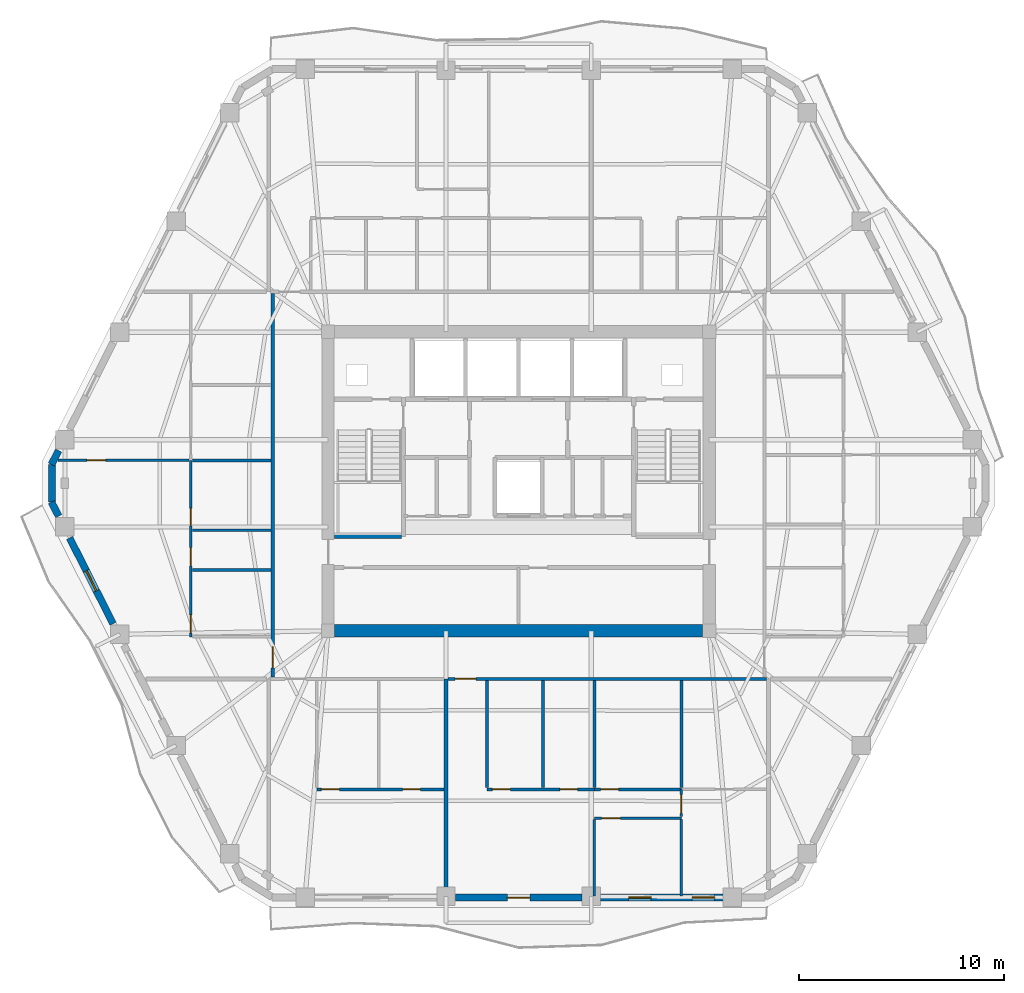
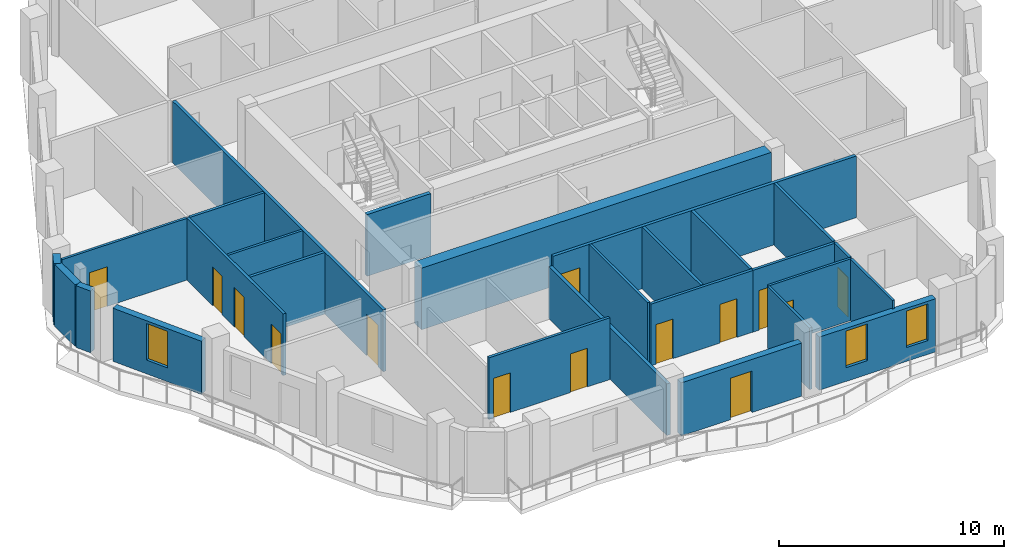
# One storey, part 4 of 11: 27 walls, 14 doors, 3 windows, 17 openings.
"""IFC4 building model written with IfcOpenShell, lengths in metres."""

import ifcopenshell
import ifcopenshell.guid

model = None  # the IFC model being written
_history = None  # IfcOwnerHistory: only IFC2X3 demands one
_inside = {}  # id of a spatial element -> (the spatial element, [elements in it])
_under = {}  # id of a project, library or spatial element -> (it, [spatial elements below it])
_declared = {}  # id of a project -> (the project, [libraries it declares])
_typed = {}  # id of a type object -> (the type object, [elements of that type])
_made_of = {}  # id of a material, layer set ... -> (it, [elements and type objects made of it])


def new_model(schema):
    """Start an empty IFC model of exactly this schema.

    Asked for "IFC4X3", IfcOpenShell would pick the latest addendum, in which some entities
    have other attributes; the version numbers below select the first issue.
    IFC2X3 requires an IfcOwnerHistory on every rooted entity: one is made here for all.
    """
    global model, _history
    if schema == "IFC4X3":
        model = ifcopenshell.file(schema_version=(4, 3, 0, 0))
    else:
        model = ifcopenshell.file(schema=schema)
    _inside.clear()
    _under.clear()
    _declared.clear()
    _typed.clear()
    _made_of.clear()
    _history = None
    if model.schema == "IFC2X3":
        org = make("IfcOrganization", Name="unknown")
        user = make(
            "IfcPersonAndOrganization",
            ThePerson=make("IfcPerson", FamilyName="unknown"),
            TheOrganization=org,
        )
        app = make(
            "IfcApplication",
            ApplicationDeveloper=org,
            Version="unknown",
            ApplicationFullName="unknown",
            ApplicationIdentifier="unknown",
        )
        _history = make(
            "IfcOwnerHistory",
            OwningUser=user,
            OwningApplication=app,
            ChangeAction="ADDED",
            CreationDate=0,
        )
    return model


def make(cls, **values):
    """One entity of the class cls with the attributes given. An attribute that is None is left unset."""
    return model.create_entity(
        cls, **{name: value for name, value in values.items() if value is not None}
    )


def rooted(cls, **values):
    """An entity with a GlobalId (a new one), such as an element, a storey or a relation."""
    return make(cls, GlobalId=ifcopenshell.guid.new(), OwnerHistory=_history, **values)


def si_unit(unit_type, name, prefix=None):
    """IfcSIUnit, for example si_unit("LENGTHUNIT", "METRE", prefix="MILLI")."""
    return make("IfcSIUnit", UnitType=unit_type, Prefix=prefix, Name=name)


def assignment(units):
    """IfcUnitAssignment: the units of a project."""
    return None if units is None else make("IfcUnitAssignment", Units=units)


def point(xyz):
    """IfcCartesianPoint."""
    return None if xyz is None else make("IfcCartesianPoint", Coordinates=xyz)


def direction(xyz):
    """IfcDirection."""
    return None if xyz is None else make("IfcDirection", DirectionRatios=xyz)


def frame(location, z_axis=None, x_axis=None):
    """IfcAxis2Placement3D, a coordinate frame: its origin and axes. An axis left out is left unset."""
    return make(
        "IfcAxis2Placement3D",
        Location=point(location),
        Axis=direction(z_axis),
        RefDirection=direction(x_axis),
    )


def frame_2d(location, x_axis=None):
    """IfcAxis2Placement2D, a coordinate frame in the plane: its origin and x axis."""
    return make(
        "IfcAxis2Placement2D", Location=point(location), RefDirection=direction(x_axis)
    )


def origin():
    """The frame at (0, 0, 0) with its axes left unset."""
    return frame((0.0, 0.0, 0.0))


def place(relative_to, where):
    """IfcLocalPlacement: puts the frame where relative to a parent placement (None: the world)."""
    return make(
        "IfcLocalPlacement", PlacementRelTo=relative_to, RelativePlacement=where
    )


def context(
    kind, dimensions, precision=None, world=None, true_north=None, identifier=None
):
    """IfcGeometricRepresentationContext, for example the 3D "Model" context."""
    return make(
        "IfcGeometricRepresentationContext",
        ContextIdentifier=identifier,
        ContextType=kind,
        CoordinateSpaceDimension=dimensions,
        Precision=precision,
        WorldCoordinateSystem=world,
        TrueNorth=true_north,
    )


def subcontext(parent, identifier, kind, view, scale=None):
    """IfcGeometricRepresentationSubContext, for example "Body" below "Model"."""
    return make(
        "IfcGeometricRepresentationSubContext",
        ContextIdentifier=identifier,
        ContextType=kind,
        ParentContext=parent,
        TargetScale=scale,
        TargetView=view,
    )


def project(units=None, contexts=None):
    """IfcProject with its units and contexts."""
    return rooted(
        "IfcProject",
        Name="project",
        RepresentationContexts=contexts,
        UnitsInContext=assignment(units),
    )


def spatial(cls, under=None, at=None, **own):
    """A site, building, storey or space (cls), placed at a placement, below another one or the project."""
    s = rooted(cls, ObjectPlacement=at, **own)
    if under is not None:
        _under.setdefault(under.id(), (under, []))[1].append(s)
    return s


def profile(cls, at=None, kind="AREA", **sizes):
    """A parametric profile (cls). Its sizes go by their IFC names, for example OverallWidth=200.0."""
    return make(cls, ProfileType=kind, Position=at, **sizes)


def rectangle(**sizes):
    """IfcRectangleProfileDef."""
    return profile("IfcRectangleProfileDef", **sizes)


def extrude(swept, where, along, depth):
    """IfcExtrudedAreaSolid: the profile swept, set in the frame where, extruded along a direction by depth."""
    return make(
        "IfcExtrudedAreaSolid",
        SweptArea=swept,
        Position=where,
        ExtrudedDirection=direction(along),
        Depth=depth,
    )


def shape(context_of_items, identifier, shape_type, items):
    """IfcShapeRepresentation: the items that make up one representation, for example the "Body"."""
    return make(
        "IfcShapeRepresentation",
        ContextOfItems=context_of_items,
        RepresentationIdentifier=identifier,
        RepresentationType=shape_type,
        Items=items,
    )


def material(Name=None, Category=None):
    """IfcMaterial."""
    return make("IfcMaterial", Name=Name, Category=Category)


def layer(
    of_material, thickness, ventilated=None, Name=None, Category=None, Priority=None
):
    """IfcMaterialLayer: one layer of a wall or slab, of a material (None: an air gap)."""
    return make(
        "IfcMaterialLayer",
        Material=of_material,
        LayerThickness=thickness,
        IsVentilated=ventilated,
        Name=Name,
        Category=Category,
        Priority=Priority,
    )


def layer_set(layers, Name=None):
    """IfcMaterialLayerSet."""
    return make("IfcMaterialLayerSet", MaterialLayers=layers, LayerSetName=Name)


def made_of(thing, what):
    """Note that an element or type object is made of a material, layer set ...; save() writes the relation."""
    if what is not None:
        _made_of.setdefault(what.id(), (what, []))[1].append(thing)
    return thing


def type_object(cls, material=None, **own):
    """A type object (cls), such as IfcWallType, which elements share."""
    return made_of(rooted(cls, **own), material)


def element(
    cls,
    number,
    at=None,
    inside=None,
    cuts=None,
    type_object=None,
    material=None,
    context=None,
    identifier="Body",
    shape_type=None,
    held_by="IfcProductDefinitionShape",
    body=None,
    shapes=None,
    **own,
):
    """One element of the class cls, such as IfcWall. Its Tag is "e" and its number.

    at: its placement. inside: the storey or other place that contains it. cuts: it is an
    opening in that element (IfcRelVoidsElement). A single representation is given by context,
    identifier, shape_type and body (its items); several are given by shapes. held_by: the class
    of the entity that holds the representations. save() writes the other relations.
    """
    e = rooted(cls, Tag="e%d" % number, ObjectPlacement=at, **own)
    if body is not None:
        shapes = [shape(context, identifier, shape_type, body)]
    if shapes is not None:
        e.Representation = make(held_by, Representations=shapes)
    if inside is not None:
        _inside.setdefault(inside.id(), (inside, []))[1].append(e)
    if cuts is not None:
        rooted(
            "IfcRelVoidsElement", RelatingBuildingElement=cuts, RelatedOpeningElement=e
        )
    if type_object is not None:
        _typed.setdefault(type_object.id(), (type_object, []))[1].append(e)
    return made_of(e, material)


def fill(opening, filler):
    """IfcRelFillsElement: the door or window that sits in an opening."""
    return rooted(
        "IfcRelFillsElement",
        RelatingOpeningElement=opening,
        RelatedBuildingElement=filler,
    )


def aggregate(whole, parts):
    """IfcRelAggregates: a whole, such as a stair, and the parts it consists of."""
    return rooted("IfcRelAggregates", RelatingObject=whole, RelatedObjects=parts)


def save(model, path):
    """Write the relations noted so far, then the file.

    IfcRelAggregates (storeys below a building ...), IfcRelContainedInSpatialStructure (elements
    in a storey), IfcRelDefinesByType, IfcRelAssociatesMaterial and IfcRelDeclares: one each for
    every whole, place, type object, material and project.
    """
    for whole, parts in _under.values():
        aggregate(whole, parts)
    for where, things in _inside.values():
        rooted(
            "IfcRelContainedInSpatialStructure",
            RelatedElements=things,
            RelatingStructure=where,
        )
    for kind, things in _typed.values():
        rooted("IfcRelDefinesByType", RelatedObjects=things, RelatingType=kind)
    for what, things in _made_of.values():
        rooted("IfcRelAssociatesMaterial", RelatedObjects=things, RelatingMaterial=what)
    for by, libraries in _declared.values():
        rooted("IfcRelDeclares", RelatingContext=by, RelatedDefinitions=libraries)
    model.write(path)


model = new_model("IFC4")

# Units and contexts
model_context = context("Model", 3, precision=1e-05, world=origin(), true_north=direction((0.0, 1.0)))
body_context = subcontext(model_context, "Body", "Model", "MODEL_VIEW")
ifc_project = project(units=[si_unit("LENGTHUNIT", "METRE"), si_unit("AREAUNIT", "SQUARE_METRE"), si_unit("VOLUMEUNIT", "CUBIC_METRE"), si_unit("PLANEANGLEUNIT", "RADIAN"), si_unit("MASSUNIT", "GRAM", prefix="KILO")], contexts=[model_context])

# Site, building, storey
site_placement = place(None, origin())
site = spatial("IfcSite", under=ifc_project, at=site_placement, CompositionType="ELEMENT")
building_placement = place(site_placement, origin())
building = spatial("IfcBuilding", under=site, at=building_placement, Name="Cinnabar Lancet Tower", CompositionType="ELEMENT")
storey_placement = place(building_placement, frame((0.0, 0.0, 175.449951171875)))
storey = spatial("IfcBuildingStorey", under=building, at=storey_placement, Name="L46", CompositionType="ELEMENT", Elevation=175.449951171875)

# Wall, opening, door
ifc_material_1 = material(Name="Acoustic twin-stud gypsum partition", Category="gypsum")
ifc_layer_1 = layer(ifc_material_1, 0.159912109375)
ifc_layer_set_1 = layer_set([ifc_layer_1], Name="Acoustic twin-stud gypsum partition")
wall_type_1 = type_object("IfcWallType", Name="ARC-WL-CORR-160", PredefinedType="PARTITIONING", material=ifc_layer_set_1)
wall_1_placement = place(storey_placement, frame((28.951904296875, 16.25, 0.0), z_axis=(0.0, 0.0, 1.0), x_axis=(1.0, 0.0, 0.0)))
wall_1 = element("IfcWall", 1, at=wall_1_placement, inside=storey, type_object=wall_type_1, Name="L46 Unit S02 Corridor Wall", PredefinedType="PARTITIONING", context=body_context, shape_type="SweptSolid", body=[
    extrude(rectangle(XDim=15.552978515625, YDim=0.159912109375, at=frame_2d((7.7763671875, 0.0))), origin(), (0.0, 0.0, 1.0), 3.35009765625),
])
opening_1_placement = place(wall_1_placement, frame((0.35498046875, 0.0, 0.0)))
opening_1 = element("IfcOpeningElement", 2, at=opening_1_placement, cuts=wall_1, Name="Opening UD-01", PredefinedType="OPENING", context=body_context, shape_type="SweptSolid", body=[
    extrude(rectangle(XDim=1.02001953125, YDim=2.25, at=frame_2d((0.510009765625, 1.125))), frame((0.0, 0.08984375, 0.0), z_axis=(0.0, -1.0, 0.0), x_axis=(1.0, 0.0, 0.0)), (0.0, 0.0, 1.0), 0.179931640625),
])
ifc_material_2 = material(Name="Solid timber fire-rated apartment entrance door", Category="wood")
door_type_1 = type_object("IfcDoorType", Name="ARC-DR-UNIT", OperationType="NOTDEFINED", PredefinedType="DOOR", material=ifc_material_2)
door_1_placement = place(opening_1_placement, origin())
door_1 = element("IfcDoor", 3, at=door_1_placement, inside=storey, type_object=door_type_1, Name="DR-L46-S02-ENT", OperationType="SINGLE_SWING_LEFT", OverallHeight=2.25, OverallWidth=1.02001953125, PredefinedType="DOOR", context=body_context, shape_type="SweptSolid", body=[
    extrude(rectangle(XDim=1.02001953125, YDim=2.25, at=frame_2d((0.510009765625, 1.125))), frame((0.0, 0.02490234375, 0.0), z_axis=(0.0, -1.0, 0.0), x_axis=(1.0, 0.0, 0.0)), (0.0, 0.0, 1.0), 0.050048828125),
])
fill(opening_1, door_1)

wall_2_placement = place(storey_placement, frame((20.39990234375, 16.344970703125, 0.0), z_axis=(0.0, 0.0, 1.0), x_axis=(0.0, 1.0, 0.0)))
wall_2 = element("IfcWall", 4, at=wall_2_placement, inside=storey, type_object=wall_type_1, Name="UW-L46-W01-COR", PredefinedType="PARTITIONING", context=body_context, shape_type="SweptSolid", body=[
    extrude(rectangle(XDim=18.7099609375, YDim=0.159912109375, at=frame_2d((9.35498046875, 0.0))), origin(), (0.0, 0.0, 1.0), 3.35009765625),
])
opening_2_placement = place(wall_2_placement, frame((0.449951171875, 0.0, 0.0)))
opening_2 = element("IfcOpeningElement", 5, at=opening_2_placement, cuts=wall_2, Name="Opening UD-01", PredefinedType="OPENING", context=body_context, shape_type="SweptSolid", body=[
    extrude(rectangle(XDim=1.02001953125, YDim=2.25, at=frame_2d((0.510009765625, 1.125))), frame((0.0, 0.08984375, 0.0), z_axis=(0.0, -1.0, 0.0), x_axis=(1.0, 0.0, 0.0)), (0.0, 0.0, 1.0), 0.179931640625),
])
door_2_placement = place(opening_2_placement, origin())
door_2 = element("IfcDoor", 6, at=door_2_placement, inside=storey, type_object=door_type_1, Name="DR-L46-W01-ENT", OperationType="SINGLE_SWING_RIGHT", OverallHeight=2.25, OverallWidth=1.02001953125, PredefinedType="DOOR", context=body_context, shape_type="SweptSolid", body=[
    extrude(rectangle(XDim=1.02001953125, YDim=2.25, at=frame_2d((0.510009765625, 1.125))), frame((0.0, 0.02490234375, 0.0), z_axis=(0.0, -1.0, 0.0), x_axis=(1.0, 0.0, 0.0)), (0.0, 0.0, 1.0), 0.050048828125),
])
fill(opening_2, door_2)

# Walls
ifc_material_3 = material(Name="Fire-rated twin-frame acoustic drywall", Category="gypsum")
ifc_layer_2 = layer(ifc_material_3, 0.179931640625)
ifc_layer_set_2 = layer_set([ifc_layer_2], Name="Fire-rated twin-frame acoustic drywall")
wall_type_2 = type_object("IfcWallType", Name="ARC-WL-PARTY-180", PredefinedType="PARTITIONING", material=ifc_layer_set_2)
wall_3_placement = place(storey_placement, frame((28.85693359375, 5.7548828125, 0.0), z_axis=(0.0, 0.0, 1.0), x_axis=(0.0, 1.0, 0.0)))
element("IfcWall", 7, at=wall_3_placement, inside=storey, type_object=wall_type_2, Name="PW-L46-SPTY-289", PredefinedType="PARTITIONING", context=body_context, shape_type="SweptSolid", body=[
    extrude(rectangle(XDim=10.4951171875, YDim=0.179931640625, at=frame_2d((5.24755859375, 0.0))), origin(), (0.0, 0.0, 1.0), 2.80712890625),
])
ifc_material_4 = material(Name="Autoclaved aerated concrete blockwork", Category="masonry")
ifc_layer_3 = layer(ifc_material_4, 0.199951171875)
ifc_layer_set_3 = layer_set([ifc_layer_3], Name="Autoclaved aerated concrete blockwork")
wall_type_3 = type_object("IfcWallType", Name="ARC-WL-SHAFT-200", PredefinedType="PLUMBINGWALL", material=ifc_layer_set_3)
wall_4_placement = place(storey_placement, frame((23.405029296875, 23.199951171875, 0.0), z_axis=(0.0, 0.0, 1.0), x_axis=(1.0, 0.0, 0.0)))
element("IfcWall", 8, at=wall_4_placement, inside=storey, type_object=wall_type_3, Name="CW-ST1S-L46", PredefinedType="PLUMBINGWALL", context=body_context, shape_type="SweptSolid", body=[
    extrude(rectangle(XDim=3.27001953125, YDim=0.199951171875, at=frame_2d((1.635009765625, 0.0))), origin(), (0.0, 0.0, 1.0), 3.35009765625),
])
ifc_material_5 = material(Name="Gypsum plasterboard stud partition", Category="gypsum")
ifc_layer_4 = layer(ifc_material_5, 0.125)
ifc_layer_set_4 = layer_set([ifc_layer_4], Name="Gypsum plasterboard stud partition")
wall_type_4 = type_object("IfcWallType", Name="ARC-WL-UNIT-125", PredefinedType="PARTITIONING", material=ifc_layer_set_4)
wall_5_placement = place(storey_placement, frame((30.85693359375, 10.9609375, 0.0), z_axis=(0.0, 0.0, 1.0), x_axis=(0.0, 1.0, 0.0)))
element("IfcWall", 9, at=wall_5_placement, inside=storey, type_object=wall_type_4, Name="UW-L46-S02-FOYE", PredefinedType="PARTITIONING", context=body_context, shape_type="SweptSolid", body=[
    extrude(rectangle(XDim=5.2041015625, YDim=0.125, at=frame_2d((2.60205078125, 0.0))), origin(), (0.0, 0.0, 1.0), 3.35009765625),
])
wall_6_placement = place(storey_placement, frame((36.09912109375, 5.6650390625, 0.0), z_axis=(0.0, 0.0, 1.0), x_axis=(0.0, 1.0, 0.0)))
element("IfcWall", 10, at=wall_6_placement, inside=storey, type_object=wall_type_4, Name="UW-L46-S02-BD2W", PredefinedType="PARTITIONING", context=body_context, shape_type="SweptSolid", body=[
    extrude(rectangle(XDim=3.72607421875, YDim=0.125, at=frame_2d((1.863037109375, 0.0))), origin(), (0.0, 0.0, 1.0), 3.35009765625),
])

# Wall, opening, door
wall_7_placement = place(storey_placement, frame((36.09912109375, 9.4560546875, 0.0), z_axis=(0.0, 0.0, 1.0), x_axis=(1.0, 0.0, 0.0)))
wall_7 = element("IfcWall", 11, at=wall_7_placement, inside=storey, type_object=wall_type_4, Name="UW-L46-S02-HLN", PredefinedType="PARTITIONING", context=body_context, shape_type="SweptSolid", body=[
    extrude(rectangle(XDim=4.25, YDim=0.125, at=frame_2d((2.125, 0.0))), origin(), (0.0, 0.0, 1.0), 3.35009765625),
])
opening_3_placement = place(wall_7_placement, frame((0.35009765625, 0.0, 0.0)))
opening_3 = element("IfcOpeningElement", 12, at=opening_3_placement, cuts=wall_7, Name="Opening RD-01", PredefinedType="OPENING", context=body_context, shape_type="SweptSolid", body=[
    extrude(rectangle(XDim=0.919921875, YDim=2.14990234375, at=frame_2d((0.4599609375, 1.074951171875))), frame((0.0, 0.072509765625, 0.0), z_axis=(0.0, -1.0, 0.0), x_axis=(1.0, 0.0, 0.0)), (0.0, 0.0, 1.0), 0.14501953125),
])
ifc_material_6 = material(Name="Engineered timber bedroom door", Category="wood")
door_type_2 = type_object("IfcDoorType", Name="ARC-DR-ROOM", OperationType="NOTDEFINED", PredefinedType="DOOR", material=ifc_material_6)
door_3_placement = place(opening_3_placement, origin())
door_3 = element("IfcDoor", 13, at=door_3_placement, inside=storey, type_object=door_type_2, Name="DR-L46-S02-BD2", OperationType="SINGLE_SWING_RIGHT", OverallHeight=2.14990234375, OverallWidth=0.919921875, PredefinedType="DOOR", context=body_context, shape_type="SweptSolid", body=[
    extrude(rectangle(XDim=0.919921875, YDim=2.14990234375, at=frame_2d((0.4599609375, 1.074951171875))), frame((0.0, 0.02490234375, 0.0), z_axis=(0.0, -1.0, 0.0), x_axis=(1.0, 0.0, 0.0)), (0.0, 0.0, 1.0), 0.050048828125),
])
fill(opening_3, door_3)

wall_8_placement = place(storey_placement, frame((40.34912109375, 9.52587890625, 0.0), z_axis=(0.0, 0.0, 1.0), x_axis=(0.0, 1.0, 0.0)))
wall_8 = element("IfcWall", 14, at=wall_8_placement, inside=storey, type_object=wall_type_4, Name="UW-L46-S02-MBE", PredefinedType="PARTITIONING", context=body_context, shape_type="SweptSolid", body=[
    extrude(rectangle(XDim=1.330078125, YDim=0.125, at=frame_2d((0.6650390625, 0.0))), origin(), (0.0, 0.0, 1.0), 3.35009765625),
])
opening_4_placement = place(wall_8_placement, frame((0.159912109375, 0.0, 0.0)))
opening_4 = element("IfcOpeningElement", 15, at=opening_4_placement, cuts=wall_8, Name="Opening RD-01", PredefinedType="OPENING", context=body_context, shape_type="SweptSolid", body=[
    extrude(rectangle(XDim=0.919921875, YDim=2.14990234375, at=frame_2d((0.4599609375, 1.074951171875))), frame((0.0, 0.072509765625, 0.0), z_axis=(0.0, -1.0, 0.0), x_axis=(1.0, 0.0, 0.0)), (0.0, 0.0, 1.0), 0.14501953125),
])
door_4_placement = place(opening_4_placement, origin())
door_4 = element("IfcDoor", 16, at=door_4_placement, inside=storey, type_object=door_type_2, Name="DR-L46-S02-MBD", OperationType="SINGLE_SWING_RIGHT", OverallHeight=2.14990234375, OverallWidth=0.919921875, PredefinedType="DOOR", context=body_context, shape_type="SweptSolid", body=[
    extrude(rectangle(XDim=0.919921875, YDim=2.14990234375, at=frame_2d((0.4599609375, 1.074951171875))), frame((0.0, 0.02490234375, 0.0), z_axis=(0.0, -1.0, 0.0), x_axis=(1.0, 0.0, 0.0)), (0.0, 0.0, 1.0), 0.050048828125),
])
fill(opening_4, door_4)

# Wall
wall_9_placement = place(storey_placement, frame((40.34912109375, 5.6650390625, 0.0), z_axis=(0.0, 0.0, 1.0), x_axis=(0.0, 1.0, 0.0)))
element("IfcWall", 17, at=wall_9_placement, inside=storey, type_object=wall_type_4, Name="UW-L46-S02-MB2W", PredefinedType="PARTITIONING", context=body_context, shape_type="SweptSolid", body=[
    extrude(rectangle(XDim=3.72607421875, YDim=0.125, at=frame_2d((1.863037109375, 0.0))), origin(), (0.0, 0.0, 1.0), 3.35009765625),
])

# Wall, opening, door
wall_10_placement = place(storey_placement, frame((9.928955078125, 26.9169921875, 0.0), z_axis=(0.0, 0.0, 1.0), x_axis=(1.0, 0.0, 0.0)))
wall_10 = element("IfcWall", 18, at=wall_10_placement, inside=storey, type_object=wall_type_4, Name="UW-L46-W01-MBN", PredefinedType="PARTITIONING", context=body_context, shape_type="SweptSolid", body=[
    extrude(rectangle(XDim=6.39599609375, YDim=0.125, at=frame_2d((3.197998046875, 0.0))), origin(), (0.0, 0.0, 1.0), 3.35009765625),
])
opening_5_placement = place(wall_10_placement, frame((1.39990234375, 0.0, 0.0)))
opening_5 = element("IfcOpeningElement", 19, at=opening_5_placement, cuts=wall_10, Name="Opening RD-01", PredefinedType="OPENING", context=body_context, shape_type="SweptSolid", body=[
    extrude(rectangle(XDim=0.919921875, YDim=2.14990234375, at=frame_2d((0.4599609375, 1.074951171875))), frame((0.0, 0.072509765625, 0.0), z_axis=(0.0, -1.0, 0.0), x_axis=(1.0, 0.0, 0.0)), (0.0, 0.0, 1.0), 0.14501953125),
])
door_5_placement = place(opening_5_placement, origin())
door_5 = element("IfcDoor", 20, at=door_5_placement, inside=storey, type_object=door_type_2, Name="DR-L46-W01-MBD", OperationType="SINGLE_SWING_RIGHT", OverallHeight=2.14990234375, OverallWidth=0.919921875, PredefinedType="DOOR", context=body_context, shape_type="SweptSolid", body=[
    extrude(rectangle(XDim=0.919921875, YDim=2.14990234375, at=frame_2d((0.4599609375, 1.074951171875))), frame((0.0, 0.02490234375, 0.0), z_axis=(0.0, -1.0, 0.0), x_axis=(1.0, 0.0, 0.0)), (0.0, 0.0, 1.0), 0.050048828125),
])
fill(opening_5, door_5)

# Wall
wall_11_placement = place(storey_placement, frame((16.485107421875, 23.51708984375, 0.0), z_axis=(0.0, 0.0, 1.0), x_axis=(1.0, 0.0, 0.0)))
element("IfcWall", 21, at=wall_11_placement, inside=storey, type_object=wall_type_4, Name="UW-L46-W01-UDV", PredefinedType="PARTITIONING", context=body_context, shape_type="SweptSolid", body=[
    extrude(rectangle(XDim=3.829833984375, YDim=0.125, at=frame_2d((1.9150390625, 0.0))), origin(), (0.0, 0.0, 1.0), 3.35009765625),
])

# Wall, openings, doors
ifc_material_7 = material(Name="Moisture-resistant cement-board plumbing wall", Category="masonry")
ifc_layer_5 = layer(ifc_material_7, 0.139892578125)
ifc_layer_set_5 = layer_set([ifc_layer_5], Name="Moisture-resistant cement-board plumbing wall")
wall_type_5 = type_object("IfcWallType", Name="ARC-WL-WET-140", PredefinedType="PLUMBINGWALL", material=ifc_layer_set_5)
wall_12_placement = place(storey_placement, frame((22.550048828125, 10.85595703125, 0.0), z_axis=(0.0, 0.0, 1.0), x_axis=(1.0, 0.0, 0.0)))
wall_12 = element("IfcWall", 22, at=wall_12_placement, inside=storey, type_object=wall_type_5, Name="UW-L46-S01-SPL", PredefinedType="PLUMBINGWALL", context=body_context, shape_type="SweptSolid", body=[
    extrude(rectangle(XDim=6.2119140625, YDim=0.139892578125, at=frame_2d((3.10595703125, 0.0))), origin(), (0.0, 0.0, 1.0), 3.35009765625),
])
opening_6_placement = place(wall_12_placement, frame((4.195068359375, 0.0, 0.0)))
opening_6 = element("IfcOpeningElement", 23, at=opening_6_placement, cuts=wall_12, Name="Opening BD-01", PredefinedType="OPENING", context=body_context, shape_type="SweptSolid", body=[
    extrude(rectangle(XDim=0.860107421875, YDim=2.10009765625, at=frame_2d((0.43017578125, 1.050048828125))), frame((0.0, 0.079833984375, 0.0), z_axis=(0.0, -1.0, 0.0), x_axis=(1.0, 0.0, 0.0)), (0.0, 0.0, 1.0), 0.159912109375),
])
opening_7_placement = place(wall_12_placement, frame((0.219970703125, 0.0, 0.0)))
opening_7 = element("IfcOpeningElement", 24, at=opening_7_placement, cuts=wall_12, Name="Opening RD-02", PredefinedType="OPENING", context=body_context, shape_type="SweptSolid", body=[
    extrude(rectangle(XDim=0.8798828125, YDim=2.14990234375, at=frame_2d((0.43994140625, 1.074951171875))), frame((0.0, 0.079833984375, 0.0), z_axis=(0.0, -1.0, 0.0), x_axis=(1.0, 0.0, 0.0)), (0.0, 0.0, 1.0), 0.159912109375),
])
ifc_material_8 = material(Name="Moisture-resistant timber bathroom door", Category="wood")
door_type_3 = type_object("IfcDoorType", Name="ARC-DR-BATH", OperationType="NOTDEFINED", PredefinedType="DOOR", material=ifc_material_8)
door_6_placement = place(opening_6_placement, origin())
door_6 = element("IfcDoor", 25, at=door_6_placement, inside=storey, type_object=door_type_3, Name="DR-L46-S01-BTH", OperationType="SINGLE_SWING_RIGHT", OverallHeight=2.10009765625, OverallWidth=0.860107421875, PredefinedType="DOOR", context=body_context, shape_type="SweptSolid", body=[
    extrude(rectangle(XDim=0.860107421875, YDim=2.10009765625, at=frame_2d((0.43017578125, 1.050048828125))), frame((0.0, 0.02490234375, 0.0), z_axis=(0.0, -1.0, 0.0), x_axis=(1.0, 0.0, 0.0)), (0.0, 0.0, 1.0), 0.050048828125),
])
fill(opening_6, door_6)
ifc_material_9 = material(Name="Engineered timber study door", Category="wood")
door_type_4 = type_object("IfcDoorType", Name="ARC-DR-STUDY", OperationType="NOTDEFINED", PredefinedType="DOOR", material=ifc_material_9)
door_7_placement = place(opening_7_placement, origin())
door_7 = element("IfcDoor", 26, at=door_7_placement, inside=storey, type_object=door_type_4, Name="DR-L46-S01-KIT", OperationType="SINGLE_SWING_LEFT", OverallHeight=2.14990234375, OverallWidth=0.8798828125, PredefinedType="DOOR", context=body_context, shape_type="SweptSolid", body=[
    extrude(rectangle(XDim=0.8798828125, YDim=2.14990234375, at=frame_2d((0.43994140625, 1.074951171875))), frame((0.0, 0.02490234375, 0.0), z_axis=(0.0, -1.0, 0.0), x_axis=(1.0, 0.0, 0.0)), (0.0, 0.0, 1.0), 0.050048828125),
])
fill(opening_7, door_7)

wall_13_placement = place(storey_placement, frame((30.85693359375, 10.85595703125, 0.0), z_axis=(0.0, 0.0, 1.0), x_axis=(1.0, 0.0, 0.0)))
wall_13 = element("IfcWall", 27, at=wall_13_placement, inside=storey, type_object=wall_type_5, Name="UW-L46-S02-SPL", PredefinedType="PLUMBINGWALL", context=body_context, shape_type="SweptSolid", body=[
    extrude(rectangle(XDim=5.2421875, YDim=0.139892578125, at=frame_2d((2.62109375, 0.0))), origin(), (0.0, 0.0, 1.0), 3.35009765625),
])
opening_8_placement = place(wall_13_placement, frame((3.55908203125, 0.0, 0.0)))
opening_8 = element("IfcOpeningElement", 28, at=opening_8_placement, cuts=wall_13, Name="Opening BD-01", PredefinedType="OPENING", context=body_context, shape_type="SweptSolid", body=[
    extrude(rectangle(XDim=0.860107421875, YDim=2.10009765625, at=frame_2d((0.43017578125, 1.050048828125))), frame((0.0, 0.079833984375, 0.0), z_axis=(0.0, -1.0, 0.0), x_axis=(1.0, 0.0, 0.0)), (0.0, 0.0, 1.0), 0.159912109375),
])
opening_9_placement = place(wall_13_placement, frame((0.260009765625, 0.0, 0.0)))
opening_9 = element("IfcOpeningElement", 29, at=opening_9_placement, cuts=wall_13, Name="Opening RD-02", PredefinedType="OPENING", context=body_context, shape_type="SweptSolid", body=[
    extrude(rectangle(XDim=0.8798828125, YDim=2.14990234375, at=frame_2d((0.43994140625, 1.074951171875))), frame((0.0, 0.079833984375, 0.0), z_axis=(0.0, -1.0, 0.0), x_axis=(1.0, 0.0, 0.0)), (0.0, 0.0, 1.0), 0.159912109375),
])
door_8_placement = place(opening_8_placement, origin())
door_8 = element("IfcDoor", 30, at=door_8_placement, inside=storey, type_object=door_type_3, Name="DR-L46-S02-BTH", OperationType="SINGLE_SWING_LEFT", OverallHeight=2.10009765625, OverallWidth=0.860107421875, PredefinedType="DOOR", context=body_context, shape_type="SweptSolid", body=[
    extrude(rectangle(XDim=0.860107421875, YDim=2.10009765625, at=frame_2d((0.43017578125, 1.050048828125))), frame((0.0, 0.02490234375, 0.0), z_axis=(0.0, -1.0, 0.0), x_axis=(1.0, 0.0, 0.0)), (0.0, 0.0, 1.0), 0.050048828125),
])
fill(opening_8, door_8)
door_9_placement = place(opening_9_placement, origin())
door_9 = element("IfcDoor", 31, at=door_9_placement, inside=storey, type_object=door_type_4, Name="DR-L46-S02-KIT", OperationType="SINGLE_SWING_RIGHT", OverallHeight=2.14990234375, OverallWidth=0.8798828125, PredefinedType="DOOR", context=body_context, shape_type="SweptSolid", body=[
    extrude(rectangle(XDim=0.8798828125, YDim=2.14990234375, at=frame_2d((0.43994140625, 1.074951171875))), frame((0.0, 0.02490234375, 0.0), z_axis=(0.0, -1.0, 0.0), x_axis=(1.0, 0.0, 0.0)), (0.0, 0.0, 1.0), 0.050048828125),
])
fill(opening_9, door_9)

# Wall, opening, door
wall_14_placement = place(storey_placement, frame((36.09912109375, 10.85595703125, 0.0), z_axis=(0.0, 0.0, 1.0), x_axis=(1.0, 0.0, 0.0)))
wall_14 = element("IfcWall", 32, at=wall_14_placement, inside=storey, type_object=wall_type_5, Name="UW-L46-S02-SPM", PredefinedType="PLUMBINGWALL", context=body_context, shape_type="SweptSolid", body=[
    extrude(rectangle(XDim=4.25, YDim=0.139892578125, at=frame_2d((2.125, 0.0))), origin(), (0.0, 0.0, 1.0), 3.35009765625),
])
opening_10_placement = place(wall_14_placement, frame((0.300048828125, 0.0, 0.0)))
opening_10 = element("IfcOpeningElement", 33, at=opening_10_placement, cuts=wall_14, Name="Opening RD-02", PredefinedType="OPENING", context=body_context, shape_type="SweptSolid", body=[
    extrude(rectangle(XDim=0.8798828125, YDim=2.14990234375, at=frame_2d((0.43994140625, 1.074951171875))), frame((0.0, 0.079833984375, 0.0), z_axis=(0.0, -1.0, 0.0), x_axis=(1.0, 0.0, 0.0)), (0.0, 0.0, 1.0), 0.159912109375),
])
door_10_placement = place(opening_10_placement, origin())
door_10 = element("IfcDoor", 34, at=door_10_placement, inside=storey, type_object=door_type_4, Name="DR-L46-S02-UTL", OperationType="SINGLE_SWING_LEFT", OverallHeight=2.14990234375, OverallWidth=0.8798828125, PredefinedType="DOOR", context=body_context, shape_type="SweptSolid", body=[
    extrude(rectangle(XDim=0.8798828125, YDim=2.14990234375, at=frame_2d((0.43994140625, 1.074951171875))), frame((0.0, 0.02490234375, 0.0), z_axis=(0.0, -1.0, 0.0), x_axis=(1.0, 0.0, 0.0)), (0.0, 0.0, 1.0), 0.050048828125),
])
fill(opening_10, door_10)

# Walls
for number, where, z_axis, x_axis, name in (
    (35, (33.5830078125, 10.9609375, 0.0), (0.0, 0.0, 1.0), (0.0, 1.0, 0.0), "UW-L46-S02-KDV"),
    (36, (36.09912109375, 10.9609375, 0.0), (0.0, 0.0, 1.0), (0.0, 1.0, 0.0), "UW-L46-S02-ENSW"),
    (37, (40.34912109375, 10.9609375, 0.0), (0.0, 0.0, 1.0), (0.0, 1.0, 0.0), "UW-L46-S02-ENSE"),
):
    element("IfcWall", number, at=place(storey_placement, frame(where, z_axis=z_axis, x_axis=x_axis)), inside=storey, type_object=wall_type_5, Name=name, PredefinedType="PLUMBINGWALL", context=body_context, shape_type="SweptSolid", body=[
        extrude(rectangle(XDim=5.2041015625, YDim=0.139892578125, at=frame_2d((2.60205078125, 0.0))), origin(), (0.0, 0.0, 1.0), 3.35009765625),
    ])

# Wall, openings, doors
wall_15_placement = place(storey_placement, frame((16.39990234375, 18.300048828125, 0.0), z_axis=(0.0, 0.0, 1.0), x_axis=(0.0, 1.0, 0.0)))
wall_15 = element("IfcWall", 38, at=wall_15_placement, inside=storey, type_object=wall_type_5, Name="UW-L46-W01-SPL", PredefinedType="PLUMBINGWALL", context=body_context, shape_type="SweptSolid", body=[
    extrude(rectangle(XDim=8.616943359375, YDim=0.139892578125, at=frame_2d((4.30859375, 0.0))), origin(), (0.0, 0.0, 1.0), 3.35009765625),
])
opening_11_placement = place(wall_15_placement, frame((0.199951171875, 0.0, 0.0)))
opening_11 = element("IfcOpeningElement", 39, at=opening_11_placement, cuts=wall_15, Name="Opening RD-02", PredefinedType="OPENING", context=body_context, shape_type="SweptSolid", body=[
    extrude(rectangle(XDim=0.8798828125, YDim=2.14990234375, at=frame_2d((0.43994140625, 1.074951171875))), frame((0.0, 0.079833984375, 0.0), z_axis=(0.0, -1.0, 0.0), x_axis=(1.0, 0.0, 0.0)), (0.0, 0.0, 1.0), 0.159912109375),
])
opening_12_placement = place(wall_15_placement, frame((3.47412109375, 0.0, 0.0)))
opening_12 = element("IfcOpeningElement", 40, at=opening_12_placement, cuts=wall_15, Name="Opening RD-02", PredefinedType="OPENING", context=body_context, shape_type="SweptSolid", body=[
    extrude(rectangle(XDim=0.8798828125, YDim=2.14990234375, at=frame_2d((0.43994140625, 1.074951171875))), frame((0.0, 0.079833984375, 0.0), z_axis=(0.0, -1.0, 0.0), x_axis=(1.0, 0.0, 0.0)), (0.0, 0.0, 1.0), 0.159912109375),
])
opening_13_placement = place(wall_15_placement, frame((5.4169921875, 0.0, 0.0)))
opening_13 = element("IfcOpeningElement", 41, at=opening_13_placement, cuts=wall_15, Name="Opening BD-01", PredefinedType="OPENING", context=body_context, shape_type="SweptSolid", body=[
    extrude(rectangle(XDim=0.860107421875, YDim=2.10009765625, at=frame_2d((0.43017578125, 1.050048828125))), frame((0.0, 0.079833984375, 0.0), z_axis=(0.0, -1.0, 0.0), x_axis=(1.0, 0.0, 0.0)), (0.0, 0.0, 1.0), 0.159912109375),
])
door_11_placement = place(opening_13_placement, origin())
door_11 = element("IfcDoor", 42, at=door_11_placement, inside=storey, type_object=door_type_3, Name="DR-L46-W01-BTH", OperationType="SINGLE_SWING_LEFT", OverallHeight=2.10009765625, OverallWidth=0.860107421875, PredefinedType="DOOR", context=body_context, shape_type="SweptSolid", body=[
    extrude(rectangle(XDim=0.860107421875, YDim=2.10009765625, at=frame_2d((0.43017578125, 1.050048828125))), frame((0.0, 0.02490234375, 0.0), z_axis=(0.0, -1.0, 0.0), x_axis=(1.0, 0.0, 0.0)), (0.0, 0.0, 1.0), 0.050048828125),
])
fill(opening_13, door_11)
door_12_placement = place(opening_11_placement, origin())
door_12 = element("IfcDoor", 43, at=door_12_placement, inside=storey, type_object=door_type_4, Name="DR-L46-W01-KIT", OperationType="SINGLE_SWING_LEFT", OverallHeight=2.14990234375, OverallWidth=0.8798828125, PredefinedType="DOOR", context=body_context, shape_type="SweptSolid", body=[
    extrude(rectangle(XDim=0.8798828125, YDim=2.14990234375, at=frame_2d((0.43994140625, 1.074951171875))), frame((0.0, 0.02490234375, 0.0), z_axis=(0.0, -1.0, 0.0), x_axis=(1.0, 0.0, 0.0)), (0.0, 0.0, 1.0), 0.050048828125),
])
fill(opening_11, door_12)
door_13_placement = place(opening_12_placement, origin())
door_13 = element("IfcDoor", 44, at=door_13_placement, inside=storey, type_object=door_type_4, Name="DR-L46-W01-UTL", OperationType="SINGLE_SWING_RIGHT", OverallHeight=2.14990234375, OverallWidth=0.8798828125, PredefinedType="DOOR", context=body_context, shape_type="SweptSolid", body=[
    extrude(rectangle(XDim=0.8798828125, YDim=2.14990234375, at=frame_2d((0.43994140625, 1.074951171875))), frame((0.0, 0.02490234375, 0.0), z_axis=(0.0, -1.0, 0.0), x_axis=(1.0, 0.0, 0.0)), (0.0, 0.0, 1.0), 0.050048828125),
])
fill(opening_12, door_13)

# Walls
for number, where, z_axis, x_axis, name in (
    (45, (16.485107421875, 26.9169921875, 0.0), (0.0, 0.0, 1.0), (1.0, 0.0, 0.0), "UW-L46-W01-ENSN"),
    (46, (16.485107421875, 21.573974609375, 0.0), (0.0, 0.0, 1.0), (1.0, 0.0, 0.0), "UW-L46-W01-KDV"),
):
    element("IfcWall", number, at=place(storey_placement, frame(where, z_axis=z_axis, x_axis=x_axis)), inside=storey, type_object=wall_type_5, Name=name, PredefinedType="PLUMBINGWALL", context=body_context, shape_type="SweptSolid", body=[
        extrude(rectangle(XDim=3.829833984375, YDim=0.139892578125, at=frame_2d((1.9150390625, 0.0))), origin(), (0.0, 0.0, 1.0), 3.35009765625),
    ])
ifc_material_10 = material(Name="Cinnabar red clay brick", Category="masonry")
ifc_layer_6 = layer(ifc_material_10, 0.340087890625)
ifc_layer_set_6 = layer_set([ifc_layer_6], Name="Cinnabar red clay brick")
wall_type_6 = type_object("IfcWallType", Name="ENV-WL-BRK-RED-340", PredefinedType="STANDARD", material=ifc_layer_set_6)
wall_16_placement = place(storey_placement, frame((9.6220703125, 26.7080078125, 0.0), z_axis=(0.0, 0.0, 1.0), x_axis=(0.0, -1.0, 0.0)))
element("IfcWall", 47, at=wall_16_placement, inside=storey, type_object=wall_type_6, Name="L46 Chamfered Corner Brick Pier 6.1", PredefinedType="STANDARD", context=body_context, shape_type="SweptSolid", body=[
    extrude(rectangle(XDim=1.81591796875, YDim=0.340087890625, at=frame_2d((0.907958984375, 0.0))), origin(), (0.0, 0.0, 1.0), 3.35009765625),
])

# Wall, opening, door
wall_17_placement = place(storey_placement, frame((29.31103515625, 5.580078125, 0.0), z_axis=(0.0, 0.0, 1.0), x_axis=(1.0, 0.0, 0.0)))
wall_17 = element("IfcWall", 48, at=wall_17_placement, inside=storey, type_object=wall_type_6, Name="L46 Face 1 Masonry Bay Wall 3", PredefinedType="STANDARD", context=body_context, shape_type="SweptSolid", body=[
    extrude(rectangle(XDim=6.177978515625, YDim=0.340087890625, at=frame_2d((3.0888671875, 0.0))), origin(), (0.0, 0.0, 1.0), 2.883056640625),
])
opening_14_placement = place(wall_17_placement, frame((2.5390625, 0.0, 0.0)))
opening_14 = element("IfcOpeningElement", 49, at=opening_14_placement, cuts=wall_17, Name="Opening TD-01", PredefinedType="OPENING", context=body_context, shape_type="SweptSolid", body=[
    extrude(rectangle(XDim=1.10009765625, YDim=2.25, at=frame_2d((0.550048828125, 1.125))), frame((0.0, 0.179931640625, 0.0), z_axis=(0.0, -1.0, 0.0), x_axis=(1.0, 0.0, 0.0)), (0.0, 0.0, 1.0), 0.360107421875),
])
ifc_material_11 = material(Name="Thermally broken low-E glazed balcony terrace door", Category="wood")
door_type_5 = type_object("IfcDoorType", Name="ARC-DR-BALC", OperationType="NOTDEFINED", PredefinedType="DOOR", material=ifc_material_11)
door_14_placement = place(opening_14_placement, origin())
door_14 = element("IfcDoor", 50, at=door_14_placement, inside=storey, type_object=door_type_5, Name="L46 Face 1 Glazed Terrace Door", OperationType="SINGLE_SWING_RIGHT", OverallHeight=2.25, OverallWidth=1.10009765625, PredefinedType="DOOR", context=body_context, shape_type="SweptSolid", body=[
    extrude(rectangle(XDim=1.10009765625, YDim=2.25, at=frame_2d((0.550048828125, 1.125))), frame((0.0, 0.02490234375, 0.0), z_axis=(0.0, -1.0, 0.0), x_axis=(1.0, 0.0, 0.0)), (0.0, 0.0, 1.0), 0.050048828125),
])
fill(opening_14, door_14)

# Wall, openings, windows
wall_18_placement = place(storey_placement, frame((36.39697265625, 5.580078125, 0.0), z_axis=(0.0, 0.0, 1.0), x_axis=(1.0, 0.0, 0.0)))
wall_18 = element("IfcWall", 51, at=wall_18_placement, inside=storey, type_object=wall_type_6, Name="L46 Face 1 Masonry Bay Wall 4", PredefinedType="STANDARD", context=body_context, shape_type="SweptSolid", body=[
    extrude(rectangle(XDim=5.969970703125, YDim=0.340087890625, at=frame_2d((2.98486328125, 0.0))), origin(), (0.0, 0.0, 1.0), 2.883056640625),
])
opening_15_placement = place(wall_18_placement, frame((1.3701171875, 0.0, 0.75)))
opening_15 = element("IfcOpeningElement", 52, at=opening_15_placement, cuts=wall_18, Name="Opening WN-04", PredefinedType="OPENING", context=body_context, shape_type="SweptSolid", body=[
    extrude(rectangle(XDim=1.10009765625, YDim=1.98291015625, at=frame_2d((0.550048828125, 0.991455078125))), frame((0.0, 0.179931640625, 0.0), z_axis=(0.0, -1.0, 0.0), x_axis=(1.0, 0.0, 0.0)), (0.0, 0.0, 1.0), 0.360107421875),
])
opening_16_placement = place(wall_18_placement, frame((4.467041015625, 0.0, 0.75)))
opening_16 = element("IfcOpeningElement", 53, at=opening_16_placement, cuts=wall_18, Name="Opening WN-04", PredefinedType="OPENING", context=body_context, shape_type="SweptSolid", body=[
    extrude(rectangle(XDim=1.10009765625, YDim=1.98291015625, at=frame_2d((0.550048828125, 0.991455078125))), frame((0.0, 0.179931640625, 0.0), z_axis=(0.0, -1.0, 0.0), x_axis=(1.0, 0.0, 0.0)), (0.0, 0.0, 1.0), 0.360107421875),
])
ifc_material_12 = material(Name="Thermally broken bronze-anodized aluminium tall lancet window", Category="aluminium")
window_type = type_object("IfcWindowType", Name="ENV-WN-LANCET-1100", PartitioningType="SINGLE_PANEL", PredefinedType="WINDOW", material=ifc_material_12)
window_1_placement = place(opening_15_placement, origin())
window_1 = element("IfcWindow", 54, at=window_1_placement, inside=storey, type_object=window_type, Name="L46 Face 1 Gothic Lancet Window 4", OverallHeight=1.98291015625, OverallWidth=1.10009765625, PartitioningType="SINGLE_PANEL", PredefinedType="WINDOW", context=body_context, shape_type="SweptSolid", body=[
    extrude(rectangle(XDim=1.10009765625, YDim=1.98291015625, at=frame_2d((0.550048828125, 0.991455078125))), frame((0.0, 0.030029296875, 0.0), z_axis=(0.0, -1.0, 0.0), x_axis=(1.0, 0.0, 0.0)), (0.0, 0.0, 1.0), 0.06005859375),
])
fill(opening_15, window_1)
window_2_placement = place(opening_16_placement, origin())
window_2 = element("IfcWindow", 55, at=window_2_placement, inside=storey, type_object=window_type, Name="L46 Split-Bay Gothic Lancet Window 135", OverallHeight=1.98291015625, OverallWidth=1.10009765625, PartitioningType="SINGLE_PANEL", PredefinedType="WINDOW", context=body_context, shape_type="SweptSolid", body=[
    extrude(rectangle(XDim=1.10009765625, YDim=1.98291015625, at=frame_2d((0.550048828125, 0.991455078125))), frame((0.0, 0.030029296875, 0.0), z_axis=(0.0, -1.0, 0.0), x_axis=(1.0, 0.0, 0.0)), (0.0, 0.0, 1.0), 0.06005859375),
])
fill(opening_16, window_2)

# Walls
for number, where, z_axis, x_axis, name in (
    (56, (9.948974609375, 27.403076171875, 0.0), (0.0, 0.0, 1.0), (-0.451262448184, -0.892391283496, 0.0), "L46 Face 5 Masonry Bay Wall 5"),
    (57, (9.60107421875, 24.885009765625, 0.0), (0.0, 0.0, 1.0), (0.451262448184, -0.892391283496, 0.0), "L46 Face 6 Masonry Bay Wall 1"),
):
    element("IfcWall", number, at=place(storey_placement, frame(where, z_axis=z_axis, x_axis=x_axis)), inside=storey, type_object=wall_type_6, Name=name, PredefinedType="STANDARD", context=body_context, shape_type="SweptSolid", body=[
        extrude(rectangle(XDim=0.77099609375, YDim=0.340087890625, at=frame_2d((0.385498046875, 0.0))), origin(), (0.0, 0.0, 1.0), 3.35009765625),
    ])

# Wall, opening, window
wall_19_placement = place(storey_placement, frame((10.485107421875, 23.136962890625, 0.0), z_axis=(0.0, 0.0, 1.0), x_axis=(0.451447222193, -0.892297823361, 0.0)))
wall_19 = element("IfcWall", 58, at=wall_19_placement, inside=storey, type_object=wall_type_6, Name="L46 Face 6 Masonry Bay Wall 2", PredefinedType="STANDARD", context=body_context, shape_type="SweptSolid", body=[
    extrude(rectangle(XDim=4.699951171875, YDim=0.340087890625, at=frame_2d((2.35009765625, 0.0))), origin(), (0.0, 0.0, 1.0), 2.883056640625),
])
opening_17_placement = place(wall_19_placement, frame((1.800048828125, 0.0, 0.75)))
opening_17 = element("IfcOpeningElement", 59, at=opening_17_placement, cuts=wall_19, Name="Opening WN-04", PredefinedType="OPENING", context=body_context, shape_type="SweptSolid", body=[
    extrude(rectangle(XDim=1.10009765625, YDim=1.98291015625, at=frame_2d((0.550048828125, 0.991455078125))), frame((0.0, 0.179931640625, 0.0), z_axis=(0.0, -1.0, 0.0), x_axis=(1.0, 0.0, 0.0)), (0.0, 0.0, 1.0), 0.360107421875),
])
window_3_placement = place(opening_17_placement, origin())
window_3 = element("IfcWindow", 60, at=window_3_placement, inside=storey, type_object=window_type, Name="L46 Face 6 Gothic Lancet Window 2", OverallHeight=1.98291015625, OverallWidth=1.10009765625, PartitioningType="SINGLE_PANEL", PredefinedType="WINDOW", context=body_context, shape_type="SweptSolid", body=[
    extrude(rectangle(XDim=1.10009765625, YDim=1.98291015625, at=frame_2d((0.550048828125, 0.991455078125))), frame((0.0, 0.030029296875, 0.0), z_axis=(0.0, -1.0, 0.0), x_axis=(1.0, 0.0, 0.0)), (0.0, 0.0, 1.0), 0.06005859375),
])
fill(opening_17, window_3)

# Wall
ifc_material_13 = material(Name="Concrete C60/75", Category="concrete")
ifc_layer_7 = layer(ifc_material_13, 0.60009765625)
ifc_layer_set_7 = layer_set([ifc_layer_7], Name="Concrete C60/75")
wall_type_7 = type_object("IfcWallType", Name="STR-WL-CORE-600", PredefinedType="SHEAR", material=ifc_layer_set_7)
wall_20_placement = place(storey_placement, frame((23.425048828125, 18.60009765625, 0.0), z_axis=(0.0, 0.0, 1.0), x_axis=(1.0, 0.0, 0.0)))
element("IfcWall", 61, at=wall_20_placement, inside=storey, type_object=wall_type_7, Name="L46 Core Shear Wall S", PredefinedType="SHEAR", context=body_context, shape_type="SweptSolid", body=[
    extrude(rectangle(XDim=17.949951171875, YDim=0.60009765625, at=frame_2d((8.97509765625, 0.0))), origin(), (0.0, 0.0, 1.0), 3.35009765625),
])

save(model, "model.ifc")
